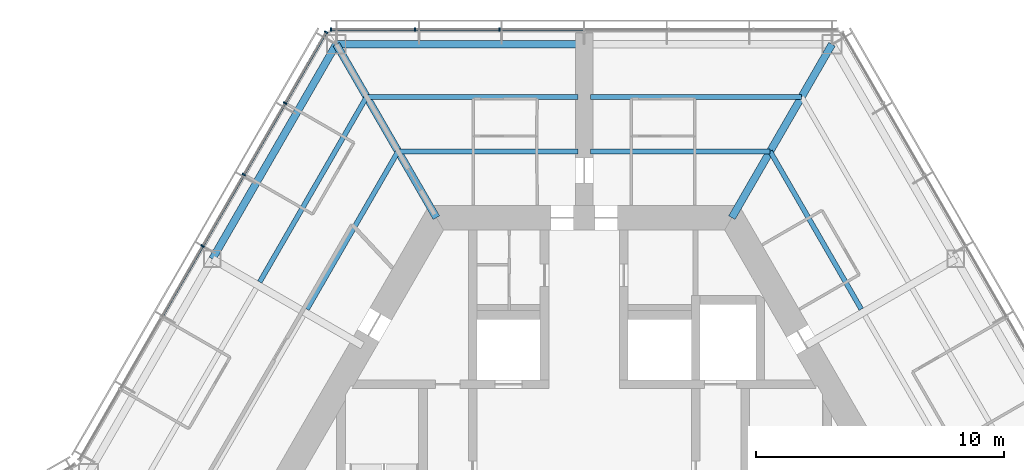
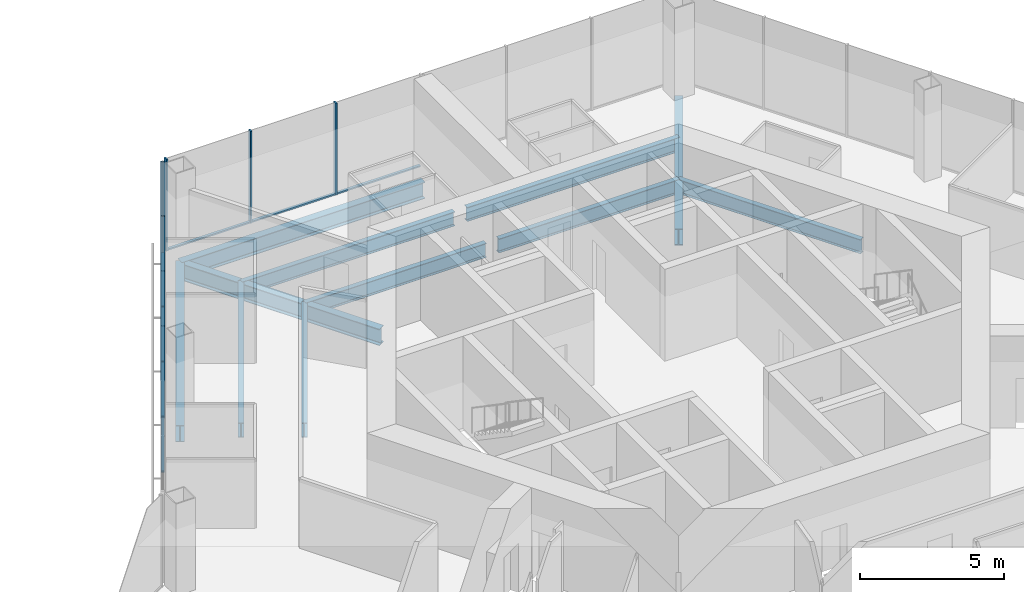
# One storey, part 7 of 18: 14 members, 11 beams, 2 elements without a shape of their own.
"""IFC4 building model written with IfcOpenShell, lengths in metres."""

import ifcopenshell
import ifcopenshell.guid

model = None  # the IFC model being written
_history = None  # IfcOwnerHistory: only IFC2X3 demands one
_inside = {}  # id of a spatial element -> (the spatial element, [elements in it])
_under = {}  # id of a project, library or spatial element -> (it, [spatial elements below it])
_declared = {}  # id of a project -> (the project, [libraries it declares])
_typed = {}  # id of a type object -> (the type object, [elements of that type])
_made_of = {}  # id of a material, layer set ... -> (it, [elements and type objects made of it])


def new_model(schema):
    """Start an empty IFC model of exactly this schema.

    Asked for "IFC4X3", IfcOpenShell would pick the latest addendum, in which some entities
    have other attributes; the version numbers below select the first issue.
    IFC2X3 requires an IfcOwnerHistory on every rooted entity: one is made here for all.
    """
    global model, _history
    if schema == "IFC4X3":
        model = ifcopenshell.file(schema_version=(4, 3, 0, 0))
    else:
        model = ifcopenshell.file(schema=schema)
    _inside.clear()
    _under.clear()
    _declared.clear()
    _typed.clear()
    _made_of.clear()
    _history = None
    if model.schema == "IFC2X3":
        org = make("IfcOrganization", Name="unknown")
        user = make(
            "IfcPersonAndOrganization",
            ThePerson=make("IfcPerson", FamilyName="unknown"),
            TheOrganization=org,
        )
        app = make(
            "IfcApplication",
            ApplicationDeveloper=org,
            Version="unknown",
            ApplicationFullName="unknown",
            ApplicationIdentifier="unknown",
        )
        _history = make(
            "IfcOwnerHistory",
            OwningUser=user,
            OwningApplication=app,
            ChangeAction="ADDED",
            CreationDate=0,
        )
    return model


def make(cls, **values):
    """One entity of the class cls with the attributes given. An attribute that is None is left unset."""
    return model.create_entity(
        cls, **{name: value for name, value in values.items() if value is not None}
    )


def rooted(cls, **values):
    """An entity with a GlobalId (a new one), such as an element, a storey or a relation."""
    return make(cls, GlobalId=ifcopenshell.guid.new(), OwnerHistory=_history, **values)


def si_unit(unit_type, name, prefix=None):
    """IfcSIUnit, for example si_unit("LENGTHUNIT", "METRE", prefix="MILLI")."""
    return make("IfcSIUnit", UnitType=unit_type, Prefix=prefix, Name=name)


def assignment(units):
    """IfcUnitAssignment: the units of a project."""
    return None if units is None else make("IfcUnitAssignment", Units=units)


def point(xyz):
    """IfcCartesianPoint."""
    return None if xyz is None else make("IfcCartesianPoint", Coordinates=xyz)


def direction(xyz):
    """IfcDirection."""
    return None if xyz is None else make("IfcDirection", DirectionRatios=xyz)


def frame(location, z_axis=None, x_axis=None):
    """IfcAxis2Placement3D, a coordinate frame: its origin and axes. An axis left out is left unset."""
    return make(
        "IfcAxis2Placement3D",
        Location=point(location),
        Axis=direction(z_axis),
        RefDirection=direction(x_axis),
    )


def frame_2d(location, x_axis=None):
    """IfcAxis2Placement2D, a coordinate frame in the plane: its origin and x axis."""
    return make(
        "IfcAxis2Placement2D", Location=point(location), RefDirection=direction(x_axis)
    )


def origin():
    """The frame at (0, 0, 0) with its axes left unset."""
    return frame((0.0, 0.0, 0.0))


def origin_2d():
    """The frame at (0, 0) in the plane with its x axis left unset."""
    return frame_2d((0.0, 0.0))


def place(relative_to, where):
    """IfcLocalPlacement: puts the frame where relative to a parent placement (None: the world)."""
    return make(
        "IfcLocalPlacement", PlacementRelTo=relative_to, RelativePlacement=where
    )


def context(
    kind, dimensions, precision=None, world=None, true_north=None, identifier=None
):
    """IfcGeometricRepresentationContext, for example the 3D "Model" context."""
    return make(
        "IfcGeometricRepresentationContext",
        ContextIdentifier=identifier,
        ContextType=kind,
        CoordinateSpaceDimension=dimensions,
        Precision=precision,
        WorldCoordinateSystem=world,
        TrueNorth=true_north,
    )


def subcontext(parent, identifier, kind, view, scale=None):
    """IfcGeometricRepresentationSubContext, for example "Body" below "Model"."""
    return make(
        "IfcGeometricRepresentationSubContext",
        ContextIdentifier=identifier,
        ContextType=kind,
        ParentContext=parent,
        TargetScale=scale,
        TargetView=view,
    )


def project(units=None, contexts=None):
    """IfcProject with its units and contexts."""
    return rooted(
        "IfcProject",
        Name="project",
        RepresentationContexts=contexts,
        UnitsInContext=assignment(units),
    )


def spatial(cls, under=None, at=None, **own):
    """A site, building, storey or space (cls), placed at a placement, below another one or the project."""
    s = rooted(cls, ObjectPlacement=at, **own)
    if under is not None:
        _under.setdefault(under.id(), (under, []))[1].append(s)
    return s


def profile(cls, at=None, kind="AREA", **sizes):
    """A parametric profile (cls). Its sizes go by their IFC names, for example OverallWidth=200.0."""
    return make(cls, ProfileType=kind, Position=at, **sizes)


def rectangle(**sizes):
    """IfcRectangleProfileDef."""
    return profile("IfcRectangleProfileDef", **sizes)


def i_section(**sizes):
    """IfcIShapeProfileDef."""
    return profile("IfcIShapeProfileDef", **sizes)


def extrude(swept, where, along, depth):
    """IfcExtrudedAreaSolid: the profile swept, set in the frame where, extruded along a direction by depth."""
    return make(
        "IfcExtrudedAreaSolid",
        SweptArea=swept,
        Position=where,
        ExtrudedDirection=direction(along),
        Depth=depth,
    )


def shape(context_of_items, identifier, shape_type, items):
    """IfcShapeRepresentation: the items that make up one representation, for example the "Body"."""
    return make(
        "IfcShapeRepresentation",
        ContextOfItems=context_of_items,
        RepresentationIdentifier=identifier,
        RepresentationType=shape_type,
        Items=items,
    )


def material(Name=None, Category=None):
    """IfcMaterial."""
    return make("IfcMaterial", Name=Name, Category=Category)


def material_profile(
    of_material, cross_section, Name=None, Category=None, Priority=None
):
    """IfcMaterialProfile: a cross section and its material."""
    return make(
        "IfcMaterialProfile",
        Name=Name,
        Material=of_material,
        Profile=cross_section,
        Priority=Priority,
        Category=Category,
    )


def profile_set(profiles, Name=None, composite=None):
    """IfcMaterialProfileSet."""
    return make(
        "IfcMaterialProfileSet",
        Name=Name,
        MaterialProfiles=profiles,
        CompositeProfile=composite,
    )


def made_of(thing, what):
    """Note that an element or type object is made of a material, layer set ...; save() writes the relation."""
    if what is not None:
        _made_of.setdefault(what.id(), (what, []))[1].append(thing)
    return thing


def type_object(cls, material=None, **own):
    """A type object (cls), such as IfcWallType, which elements share."""
    return made_of(rooted(cls, **own), material)


def element(
    cls,
    number,
    at=None,
    inside=None,
    cuts=None,
    type_object=None,
    material=None,
    context=None,
    identifier="Body",
    shape_type=None,
    held_by="IfcProductDefinitionShape",
    body=None,
    shapes=None,
    **own,
):
    """One element of the class cls, such as IfcWall. Its Tag is "e" and its number.

    at: its placement. inside: the storey or other place that contains it. cuts: it is an
    opening in that element (IfcRelVoidsElement). A single representation is given by context,
    identifier, shape_type and body (its items); several are given by shapes. held_by: the class
    of the entity that holds the representations. save() writes the other relations.
    """
    e = rooted(cls, Tag="e%d" % number, ObjectPlacement=at, **own)
    if body is not None:
        shapes = [shape(context, identifier, shape_type, body)]
    if shapes is not None:
        e.Representation = make(held_by, Representations=shapes)
    if inside is not None:
        _inside.setdefault(inside.id(), (inside, []))[1].append(e)
    if cuts is not None:
        rooted(
            "IfcRelVoidsElement", RelatingBuildingElement=cuts, RelatedOpeningElement=e
        )
    if type_object is not None:
        _typed.setdefault(type_object.id(), (type_object, []))[1].append(e)
    return made_of(e, material)


def aggregate(whole, parts):
    """IfcRelAggregates: a whole, such as a stair, and the parts it consists of."""
    return rooted("IfcRelAggregates", RelatingObject=whole, RelatedObjects=parts)


def save(model, path):
    """Write the relations noted so far, then the file.

    IfcRelAggregates (storeys below a building ...), IfcRelContainedInSpatialStructure (elements
    in a storey), IfcRelDefinesByType, IfcRelAssociatesMaterial and IfcRelDeclares: one each for
    every whole, place, type object, material and project.
    """
    for whole, parts in _under.values():
        aggregate(whole, parts)
    for where, things in _inside.values():
        rooted(
            "IfcRelContainedInSpatialStructure",
            RelatedElements=things,
            RelatingStructure=where,
        )
    for kind, things in _typed.values():
        rooted("IfcRelDefinesByType", RelatedObjects=things, RelatingType=kind)
    for what, things in _made_of.values():
        rooted("IfcRelAssociatesMaterial", RelatedObjects=things, RelatingMaterial=what)
    for by, libraries in _declared.values():
        rooted("IfcRelDeclares", RelatingContext=by, RelatedDefinitions=libraries)
    model.write(path)


model = new_model("IFC4")

# Units and contexts
model_context = context("Model", 3, precision=1e-05, world=origin(), true_north=direction((0.0, 1.0)))
body_context = subcontext(model_context, "Body", "Model", "MODEL_VIEW")
ifc_project = project(units=[si_unit("LENGTHUNIT", "METRE"), si_unit("AREAUNIT", "SQUARE_METRE"), si_unit("VOLUMEUNIT", "CUBIC_METRE"), si_unit("PLANEANGLEUNIT", "RADIAN"), si_unit("MASSUNIT", "GRAM", prefix="KILO")], contexts=[model_context])

# Site, building, storey
site_placement = place(None, origin())
site = spatial("IfcSite", under=ifc_project, at=site_placement, CompositionType="ELEMENT")
building_placement = place(site_placement, origin())
building = spatial("IfcBuilding", under=site, at=building_placement, Name="Kasaneha Research Tower", CompositionType="ELEMENT")
storey_placement = place(building_placement, frame((0.0, 0.0, 179.89990234375)))
storey = spatial("IfcBuildingStorey", under=building, at=storey_placement, Name="L45", CompositionType="ELEMENT", Elevation=179.89990234375)

# Beams
ifc_material_1 = material(Name="Steel SN490B", Category="steel")
ifc_material_profile_1 = material_profile(ifc_material_1, i_section(OverallWidth=0.199951171875, OverallDepth=0.60009765625, WebThickness=0.010986328125, FlangeThickness=0.01708984375, FilletRadius=0.012939453125, at=origin_2d()), Name="H-600x200x11x17")
ifc_profile_set_1 = profile_set([ifc_material_profile_1], Name="Steel SN490B")
beam_type_1 = type_object("IfcBeamType", Name="B1-3 secondary beam H-600x200x11x17", PredefinedType="JOIST", material=ifc_profile_set_1)
beam_1_placement = place(storey_placement, frame((7.505615234375, 13.0, -0.449951171875), z_axis=(0.499994443168, -0.866028611999, 0.0), x_axis=(0.866028611999, 0.499994443168, 0.0)))
element("IfcBeam", 1, at=beam_1_placement, inside=storey, type_object=beam_type_1, Name="Secondary beam RS030R1 L45", PredefinedType="JOIST", context=body_context, shape_type="SweptSolid", body=[
    extrude(i_section(OverallWidth=0.199951171875, OverallDepth=0.60009765625, WebThickness=0.010986328125, FlangeThickness=0.01708984375, FilletRadius=0.012939453125, at=origin_2d()), origin(), (0.0, 0.0, 1.0), 7.35546875),
])
beam_2_placement = place(storey_placement, frame((7.505615234375, 13.0, -0.449951171875), z_axis=(-1.0, 0.0, 0.0), x_axis=(0.0, -1.0, 0.0)))
element("IfcBeam", 2, at=beam_2_placement, inside=storey, type_object=beam_type_1, Name="Secondary beam RS090L1 L45", PredefinedType="JOIST", context=body_context, shape_type="SweptSolid", body=[
    extrude(i_section(OverallWidth=0.199951171875, OverallDepth=0.60009765625, WebThickness=0.010986328125, FlangeThickness=0.01708984375, FilletRadius=0.012939453125, at=origin_2d()), origin(), (0.0, 0.0, 1.0), 7.255615234375),
])
beam_3_placement = place(storey_placement, frame((8.775634765625, 15.199951171875, -0.449951171875), z_axis=(-1.0, 0.0, 0.0), x_axis=(0.0, -1.0, 0.0)))
element("IfcBeam", 3, at=beam_3_placement, inside=storey, type_object=beam_type_1, Name="Secondary beam RS090L2 L45", PredefinedType="JOIST", context=body_context, shape_type="SweptSolid", body=[
    extrude(i_section(OverallWidth=0.199951171875, OverallDepth=0.60009765625, WebThickness=0.010986328125, FlangeThickness=0.01708984375, FilletRadius=0.012939453125, at=origin_2d()), origin(), (0.0, 0.0, 1.0), 8.525634765625),
])
beam_4_placement = place(storey_placement, frame((-7.505615234375, 13.0, -0.449951171875), z_axis=(1.0, 0.0, 0.0), x_axis=(0.0, 1.0, 0.0)))
element("IfcBeam", 4, at=beam_4_placement, inside=storey, type_object=beam_type_1, Name="Secondary beam RS090R1 L45", PredefinedType="JOIST", context=body_context, shape_type="SweptSolid", body=[
    extrude(i_section(OverallWidth=0.199951171875, OverallDepth=0.60009765625, WebThickness=0.010986328125, FlangeThickness=0.01708984375, FilletRadius=0.012939453125, at=origin_2d()), origin(), (0.0, 0.0, 1.0), 7.255615234375),
])
beam_5_placement = place(storey_placement, frame((-8.775634765625, 15.199951171875, -0.449951171875), z_axis=(1.0, 0.0, 0.0), x_axis=(0.0, 1.0, 0.0)))
element("IfcBeam", 5, at=beam_5_placement, inside=storey, type_object=beam_type_1, Name="Secondary beam RS090R2 L45", PredefinedType="JOIST", context=body_context, shape_type="SweptSolid", body=[
    extrude(i_section(OverallWidth=0.199951171875, OverallDepth=0.60009765625, WebThickness=0.010986328125, FlangeThickness=0.01708984375, FilletRadius=0.012939453125, at=origin_2d()), origin(), (0.0, 0.0, 1.0), 8.525634765625),
])
beam_6_placement = place(storey_placement, frame((-7.505615234375, 13.0, -0.449951171875), z_axis=(-0.499994443168, -0.866028611999, 0.0), x_axis=(0.866028611999, -0.499994443168, 0.0)))
element("IfcBeam", 6, at=beam_6_placement, inside=storey, type_object=beam_type_1, Name="Secondary beam RS150L1 L45", PredefinedType="JOIST", context=body_context, shape_type="SweptSolid", body=[
    extrude(i_section(OverallWidth=0.199951171875, OverallDepth=0.60009765625, WebThickness=0.010986328125, FlangeThickness=0.01708984375, FilletRadius=0.012939453125, at=origin_2d()), origin(), (0.0, 0.0, 1.0), 7.35546875),
])
beam_7_placement = place(storey_placement, frame((-8.775634765625, 15.199951171875, -0.449951171875), z_axis=(-0.500017275495, -0.866015429543, 0.0), x_axis=(0.866015429543, -0.500017275495, 0.0)))
element("IfcBeam", 7, at=beam_7_placement, inside=storey, type_object=beam_type_1, Name="Secondary beam RS150L2 L45", PredefinedType="JOIST", context=body_context, shape_type="SweptSolid", body=[
    extrude(i_section(OverallWidth=0.199951171875, OverallDepth=0.60009765625, WebThickness=0.010986328125, FlangeThickness=0.01708984375, FilletRadius=0.012939453125, at=origin_2d()), origin(), (0.0, 0.0, 1.0), 8.625732421875),
])

# Curtain wall, members
ifc_material_2 = material(Name="Glass and aluminium", Category="aluminium")
curtain_wall_type = type_object("IfcCurtainWallType", Name="Mid-rise office curtain wall", PredefinedType="USERDEFINED", material=ifc_material_2)
curtain_wall_1_placement = place(storey_placement, origin())
curtain_wall_1 = element("IfcCurtainWall", 8, at=curtain_wall_1_placement, inside=storey, type_object=curtain_wall_type, Name="CW-O2 L45 run 07a", ObjectType="UNITISED CURTAIN WALL", PredefinedType="USERDEFINED")
ifc_material_3 = material(Name="Aluminium 6063-T6", Category="aluminium")
ifc_material_profile_2 = material_profile(ifc_material_3, rectangle(XDim=0.06005859375, YDim=0.14990234375, at=origin_2d()), Name="CW-O2 mullion 60x150")
ifc_profile_set_2 = profile_set([ifc_material_profile_2], Name="Aluminium 6063-T6")
member_type_1 = type_object("IfcMemberType", Name="CW-O2 mullion", PredefinedType="MULLION", material=ifc_profile_set_2)
member_1_placement = place(storey_placement, frame((-3.41552734375, 17.92041015625, 0.0), z_axis=(0.0, 0.0, 1.0), x_axis=(-1.0, 0.0, 0.0)))
member_1 = element("IfcMember", 9, at=member_1_placement, type_object=member_type_1, Name="CW-O2 mullion 5", PredefinedType="MULLION", context=body_context, shape_type="SweptSolid", body=[
    extrude(rectangle(XDim=0.06005859375, YDim=0.14990234375, at=origin_2d()), origin(), (0.0, 0.0, 1.0), 3.900146484375),
])
member_2_placement = place(storey_placement, frame((-6.8310546875, 17.92041015625, 0.0), z_axis=(0.0, 0.0, 1.0), x_axis=(-1.0, 0.0, 0.0)))
member_2 = element("IfcMember", 10, at=member_2_placement, type_object=member_type_1, Name="CW-O2 mullion 6", PredefinedType="MULLION", context=body_context, shape_type="SweptSolid", body=[
    extrude(rectangle(XDim=0.06005859375, YDim=0.14990234375, at=origin_2d()), origin(), (0.0, 0.0, 1.0), 3.900146484375),
])
member_3_placement = place(storey_placement, frame((-10.21630859375, 17.92041015625, 0.0), z_axis=(0.0, 0.0, 1.0), x_axis=(-1.0, 0.0, 0.0)))
member_3 = element("IfcMember", 11, at=member_3_placement, type_object=member_type_1, Name="CW-O2 mullion 7", PredefinedType="MULLION", context=body_context, shape_type="SweptSolid", body=[
    extrude(rectangle(XDim=0.06005859375, YDim=0.14990234375, at=origin_2d()), origin(), (0.0, 0.0, 1.0), 3.900146484375),
])

curtain_wall_2_placement = place(storey_placement, origin())
curtain_wall_2 = element("IfcCurtainWall", 12, at=curtain_wall_2_placement, inside=storey, type_object=curtain_wall_type, Name="CW-O2 L45 run 08a", ObjectType="UNITISED CURTAIN WALL", PredefinedType="USERDEFINED")
member_4_placement = place(storey_placement, frame((-10.411376953125, 17.807861328125, 0.0), z_axis=(0.0, 0.0, 1.0), x_axis=(-0.499999979232, -0.866025415775, 0.0)))
member_4 = element("IfcMember", 13, at=member_4_placement, type_object=member_type_1, Name="CW-O2 mullion 1", PredefinedType="MULLION", context=body_context, shape_type="SweptSolid", body=[
    extrude(rectangle(XDim=0.06005859375, YDim=0.14990234375, at=origin_2d()), origin(), (0.0, 0.0, 1.0), 3.900146484375),
])
member_5_placement = place(storey_placement, frame((-12.061767578125, 14.94921875, 0.0), z_axis=(0.0, 0.0, 1.0), x_axis=(-0.499999979232, -0.866025415775, 0.0)))
member_5 = element("IfcMember", 14, at=member_5_placement, type_object=member_type_1, Name="CW-O2 mullion 2", PredefinedType="MULLION", context=body_context, shape_type="SweptSolid", body=[
    extrude(rectangle(XDim=0.06005859375, YDim=0.14990234375, at=origin_2d()), origin(), (0.0, 0.0, 1.0), 3.900146484375),
])
member_6_placement = place(storey_placement, frame((-13.727294921875, 12.064453125, 0.0), z_axis=(0.0, 0.0, 1.0), x_axis=(-0.499999979232, -0.866025415775, 0.0)))
member_6 = element("IfcMember", 15, at=member_6_placement, type_object=member_type_1, Name="CW-O2 mullion 3", PredefinedType="MULLION", context=body_context, shape_type="SweptSolid", body=[
    extrude(rectangle(XDim=0.06005859375, YDim=0.14990234375, at=origin_2d()), origin(), (0.0, 0.0, 1.0), 3.900146484375),
])
member_7_placement = place(storey_placement, frame((-15.392822265625, 9.179931640625, 0.0), z_axis=(0.0, 0.0, 1.0), x_axis=(-0.499999979232, -0.866025415775, 0.0)))
member_7 = element("IfcMember", 16, at=member_7_placement, type_object=member_type_1, Name="CW-O2 mullion 4", PredefinedType="MULLION", context=body_context, shape_type="SweptSolid", body=[
    extrude(rectangle(XDim=0.06005859375, YDim=0.14990234375, at=origin_2d()), origin(), (0.0, 0.0, 1.0), 3.900146484375),
])

# Member
ifc_material_4 = material(Name="Aluminium 6063-T6", Category="aluminium")
ifc_material_profile_3 = material_profile(ifc_material_4, rectangle(XDim=0.110107421875, YDim=0.06005859375, at=origin_2d()), Name="CW-O2 transom 110x60")
ifc_profile_set_3 = profile_set([ifc_material_profile_3], Name="Aluminium 6063-T6")
member_type_2 = type_object("IfcMemberType", Name="CW-O2 transom", PredefinedType="USERDEFINED", material=ifc_profile_set_3)
member_8_placement = place(storey_placement, frame((-0.030029296875, 17.92041015625, 0.030029296875), z_axis=(-1.0, 0.0, 0.0), x_axis=(0.0, -1.0, 0.0)))
member_8 = element("IfcMember", 17, at=member_8_placement, type_object=member_type_2, Name="CW-O2 transom 4", ObjectType="TRANSOM", PredefinedType="USERDEFINED", context=body_context, shape_type="SweptSolid", body=[
    extrude(rectangle(XDim=0.110107421875, YDim=0.06005859375, at=origin_2d()), origin(), (0.0, 0.0, 1.0), 3.35546875),
])

member_9_placement = place(storey_placement, frame((-3.445556640625, 17.92041015625, 0.030029296875), z_axis=(-1.0, 0.0, 0.0), x_axis=(0.0, -1.0, 0.0)))
member_9 = element("IfcMember", 18, at=member_9_placement, type_object=member_type_2, Name="CW-O2 transom 5", ObjectType="TRANSOM", PredefinedType="USERDEFINED", context=body_context, shape_type="SweptSolid", body=[
    extrude(rectangle(XDim=0.110107421875, YDim=0.06005859375, at=origin_2d()), origin(), (0.0, 0.0, 1.0), 3.35546875),
])

member_10_placement = place(storey_placement, frame((-6.86083984375, 17.92041015625, 0.030029296875), z_axis=(-1.0, 0.0, 0.0), x_axis=(0.0, -1.0, 0.0)))
member_10 = element("IfcMember", 19, at=member_10_placement, type_object=member_type_2, Name="CW-O2 transom 6", ObjectType="TRANSOM", PredefinedType="USERDEFINED", context=body_context, shape_type="SweptSolid", body=[
    extrude(rectangle(XDim=0.110107421875, YDim=0.06005859375, at=origin_2d()), origin(), (0.0, 0.0, 1.0), 3.32568359375),
])

aggregate(curtain_wall_1, [member_1, member_2, member_3, member_8, member_9, member_10])

member_11_placement = place(storey_placement, frame((-10.426513671875, 17.781982421875, 0.030029296875), z_axis=(-0.499955025697, -0.866051368154, 0.0), x_axis=(0.866051368154, -0.499955025697, 0.0)))
member_11 = element("IfcMember", 20, at=member_11_placement, type_object=member_type_2, Name="CW-O2 transom 1", ObjectType="TRANSOM", PredefinedType="USERDEFINED", context=body_context, shape_type="SweptSolid", body=[
    extrude(rectangle(XDim=0.110107421875, YDim=0.06005859375, at=origin_2d()), origin(), (0.0, 0.0, 1.0), 3.240966796875),
])

member_12_placement = place(storey_placement, frame((-12.076904296875, 14.92333984375, 0.030029296875), z_axis=(-0.500000270186, -0.866025247793, 0.0), x_axis=(0.866025247793, -0.500000270186, 0.0)))
member_12 = element("IfcMember", 21, at=member_12_placement, type_object=member_type_2, Name="CW-O2 transom 2", ObjectType="TRANSOM", PredefinedType="USERDEFINED", context=body_context, shape_type="SweptSolid", body=[
    extrude(rectangle(XDim=0.110107421875, YDim=0.06005859375, at=origin_2d()), origin(), (0.0, 0.0, 1.0), 3.27099609375),
])

member_13_placement = place(storey_placement, frame((-13.742431640625, 12.03857421875, 0.030029296875), z_axis=(-0.500000270186, -0.866025247793, 0.0), x_axis=(0.866025247793, -0.500000270186, 0.0)))
member_13 = element("IfcMember", 22, at=member_13_placement, type_object=member_type_2, Name="CW-O2 transom 3", ObjectType="TRANSOM", PredefinedType="USERDEFINED", context=body_context, shape_type="SweptSolid", body=[
    extrude(rectangle(XDim=0.110107421875, YDim=0.06005859375, at=origin_2d()), origin(), (0.0, 0.0, 1.0), 3.27099609375),
])

member_14_placement = place(storey_placement, frame((-15.40771484375, 9.15380859375, 0.030029296875), z_axis=(-0.50003259116, -0.866006586452, 0.0), x_axis=(0.866006586452, -0.50003259116, 0.0)))
member_14 = element("IfcMember", 23, at=member_14_placement, type_object=member_type_2, Name="CW-O2 transom 4", ObjectType="TRANSOM", PredefinedType="USERDEFINED", context=body_context, shape_type="SweptSolid", body=[
    extrude(rectangle(XDim=0.110107421875, YDim=0.06005859375, at=origin_2d()), origin(), (0.0, 0.0, 1.0), 3.270751953125),
])

aggregate(curtain_wall_2, [member_4, member_5, member_6, member_7, member_11, member_12, member_13, member_14])

# Beams
ifc_material_5 = material(Name="Steel SN490B", Category="steel")
ifc_material_profile_4 = material_profile(ifc_material_5, i_section(OverallWidth=0.300048828125, OverallDepth=0.699951171875, WebThickness=0.012939453125, FlangeThickness=0.02392578125, FilletRadius=0.01806640625, at=origin_2d()), Name="H-700x300x13x24")
ifc_profile_set_4 = profile_set([ifc_material_profile_4], Name="Steel SN490B")
beam_type_2 = type_object("IfcBeamType", Name="G1-3 radial girder H-700x300x13x24", PredefinedType="BEAM", material=ifc_profile_set_4)
for number, where, z_axis, x_axis, name in (
    (24, (5.961181640625, 10.324951171875, -0.5), (0.49999105496, 0.866030568144, 0.0), (-0.866030568144, 0.49999105496, 0.0), "Radial girder RV060 L45"),
    (25, (-5.961181640625, 10.324951171875, -0.5), (-0.49999105496, 0.866030568144, 0.0), (-0.866030568144, -0.49999105496, 0.0), "Radial girder RV120 L45"),
):
    element("IfcBeam", number, at=place(storey_placement, frame(where, z_axis=z_axis, x_axis=x_axis)), inside=storey, type_object=beam_type_2, Name=name, PredefinedType="BEAM", context=body_context, shape_type="SweptSolid", body=[
        extrude(i_section(OverallWidth=0.300048828125, OverallDepth=0.699951171875, WebThickness=0.012939453125, FlangeThickness=0.02392578125, FilletRadius=0.01806640625, at=origin_2d()), origin(), (0.0, 0.0, 1.0), 8.077880859375),
    ])
ifc_material_6 = material(Name="Steel SN490B", Category="steel")
ifc_material_profile_5 = material_profile(ifc_material_6, i_section(OverallWidth=0.300048828125, OverallDepth=0.69189453125, WebThickness=0.012939453125, FlangeThickness=0.02001953125, FilletRadius=0.01806640625, at=origin_2d()), Name="H-692x300x13x20")
ifc_profile_set_5 = profile_set([ifc_material_profile_5], Name="Steel SN490B")
beam_type_3 = type_object("IfcBeamType", Name="G3-3 plate edge girder H-692x300x13x20", PredefinedType="BEAM", material=ifc_profile_set_5)
beam_8_placement = place(storey_placement, frame((-10.0, 17.320556640625, -0.495849609375), z_axis=(1.0, 0.0, 0.0), x_axis=(0.0, 1.0, 0.0)))
element("IfcBeam", 26, at=beam_8_placement, inside=storey, type_object=beam_type_3, Name="Plate edge girder PEAN L45", PredefinedType="BEAM", context=body_context, shape_type="SweptSolid", body=[
    extrude(i_section(OverallWidth=0.300048828125, OverallDepth=0.69189453125, WebThickness=0.012939453125, FlangeThickness=0.02001953125, FilletRadius=0.01806640625, at=origin_2d()), origin(), (0.0, 0.0, 1.0), 9.75),
])
ifc_material_7 = material(Name="Steel SN490B", Category="steel")
ifc_material_profile_6 = material_profile(ifc_material_7, i_section(OverallWidth=0.300048828125, OverallDepth=0.69189453125, WebThickness=0.012939453125, FlangeThickness=0.02001953125, FilletRadius=0.01806640625, at=origin_2d()), Name="H-692x300x13x20")
ifc_profile_set_6 = profile_set([ifc_material_profile_6], Name="Steel SN490B")
beam_type_4 = type_object("IfcBeamType", Name="SB1-3 spandrel beam H-692x300x13x20", PredefinedType="SPANDREL", material=ifc_profile_set_6)
beam_9_placement = place(storey_placement, frame((-10.0, 17.320556640625, -0.495849609375), z_axis=(-0.499993662806, -0.866029062534, 0.0), x_axis=(0.866029062534, -0.499993662806, 0.0)))
element("IfcBeam", 27, at=beam_9_placement, inside=storey, type_object=beam_type_4, Name="Spandrel beam SR150L L45", PredefinedType="SPANDREL", context=body_context, shape_type="SweptSolid", body=[
    extrude(i_section(OverallWidth=0.300048828125, OverallDepth=0.69189453125, WebThickness=0.012939453125, FlangeThickness=0.02001953125, FilletRadius=0.01806640625, at=origin_2d()), origin(), (0.0, 0.0, 1.0), 10.000244140625),
])

save(model, "model.ifc")
